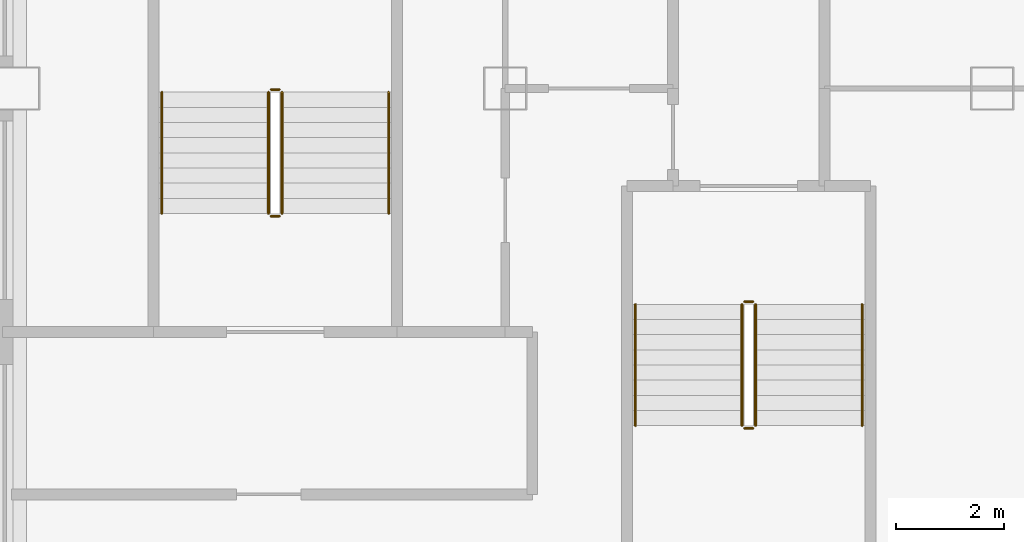
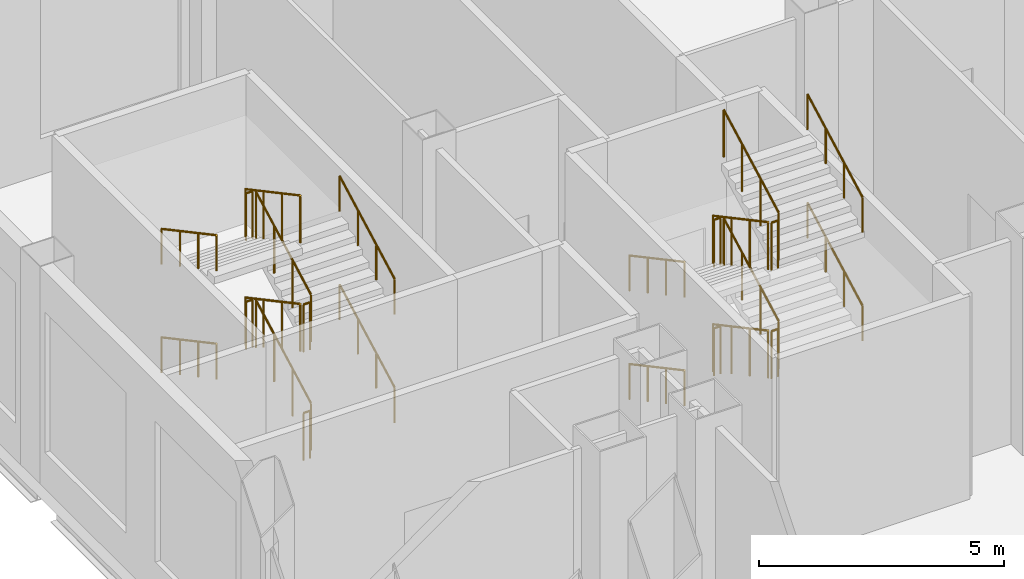
# One storey, part 24 of 26: 24 railings.
"""IFC4 building model written with IfcOpenShell, lengths in metres."""

import ifcopenshell
import ifcopenshell.guid

model = None  # the IFC model being written
_history = None  # IfcOwnerHistory: only IFC2X3 demands one
_inside = {}  # id of a spatial element -> (the spatial element, [elements in it])
_under = {}  # id of a project, library or spatial element -> (it, [spatial elements below it])
_declared = {}  # id of a project -> (the project, [libraries it declares])
_typed = {}  # id of a type object -> (the type object, [elements of that type])
_made_of = {}  # id of a material, layer set ... -> (it, [elements and type objects made of it])


def new_model(schema):
    """Start an empty IFC model of exactly this schema.

    Asked for "IFC4X3", IfcOpenShell would pick the latest addendum, in which some entities
    have other attributes; the version numbers below select the first issue.
    IFC2X3 requires an IfcOwnerHistory on every rooted entity: one is made here for all.
    """
    global model, _history
    if schema == "IFC4X3":
        model = ifcopenshell.file(schema_version=(4, 3, 0, 0))
    else:
        model = ifcopenshell.file(schema=schema)
    _inside.clear()
    _under.clear()
    _declared.clear()
    _typed.clear()
    _made_of.clear()
    _history = None
    if model.schema == "IFC2X3":
        org = make("IfcOrganization", Name="unknown")
        user = make(
            "IfcPersonAndOrganization",
            ThePerson=make("IfcPerson", FamilyName="unknown"),
            TheOrganization=org,
        )
        app = make(
            "IfcApplication",
            ApplicationDeveloper=org,
            Version="unknown",
            ApplicationFullName="unknown",
            ApplicationIdentifier="unknown",
        )
        _history = make(
            "IfcOwnerHistory",
            OwningUser=user,
            OwningApplication=app,
            ChangeAction="ADDED",
            CreationDate=0,
        )
    return model


def make(cls, **values):
    """One entity of the class cls with the attributes given. An attribute that is None is left unset."""
    return model.create_entity(
        cls, **{name: value for name, value in values.items() if value is not None}
    )


def rooted(cls, **values):
    """An entity with a GlobalId (a new one), such as an element, a storey or a relation."""
    return make(cls, GlobalId=ifcopenshell.guid.new(), OwnerHistory=_history, **values)


def si_unit(unit_type, name, prefix=None):
    """IfcSIUnit, for example si_unit("LENGTHUNIT", "METRE", prefix="MILLI")."""
    return make("IfcSIUnit", UnitType=unit_type, Prefix=prefix, Name=name)


def assignment(units):
    """IfcUnitAssignment: the units of a project."""
    return None if units is None else make("IfcUnitAssignment", Units=units)


def point(xyz):
    """IfcCartesianPoint."""
    return None if xyz is None else make("IfcCartesianPoint", Coordinates=xyz)


def direction(xyz):
    """IfcDirection."""
    return None if xyz is None else make("IfcDirection", DirectionRatios=xyz)


def frame(location, z_axis=None, x_axis=None):
    """IfcAxis2Placement3D, a coordinate frame: its origin and axes. An axis left out is left unset."""
    return make(
        "IfcAxis2Placement3D",
        Location=point(location),
        Axis=direction(z_axis),
        RefDirection=direction(x_axis),
    )


def frame_2d(location, x_axis=None):
    """IfcAxis2Placement2D, a coordinate frame in the plane: its origin and x axis."""
    return make(
        "IfcAxis2Placement2D", Location=point(location), RefDirection=direction(x_axis)
    )


def origin():
    """The frame at (0, 0, 0) with its axes left unset."""
    return frame((0.0, 0.0, 0.0))


def origin_2d():
    """The frame at (0, 0) in the plane with its x axis left unset."""
    return frame_2d((0.0, 0.0))


def place(relative_to, where):
    """IfcLocalPlacement: puts the frame where relative to a parent placement (None: the world)."""
    return make(
        "IfcLocalPlacement", PlacementRelTo=relative_to, RelativePlacement=where
    )


def context(
    kind, dimensions, precision=None, world=None, true_north=None, identifier=None
):
    """IfcGeometricRepresentationContext, for example the 3D "Model" context."""
    return make(
        "IfcGeometricRepresentationContext",
        ContextIdentifier=identifier,
        ContextType=kind,
        CoordinateSpaceDimension=dimensions,
        Precision=precision,
        WorldCoordinateSystem=world,
        TrueNorth=true_north,
    )


def subcontext(parent, identifier, kind, view, scale=None):
    """IfcGeometricRepresentationSubContext, for example "Body" below "Model"."""
    return make(
        "IfcGeometricRepresentationSubContext",
        ContextIdentifier=identifier,
        ContextType=kind,
        ParentContext=parent,
        TargetScale=scale,
        TargetView=view,
    )


def project(units=None, contexts=None):
    """IfcProject with its units and contexts."""
    return rooted(
        "IfcProject",
        Name="project",
        RepresentationContexts=contexts,
        UnitsInContext=assignment(units),
    )


def spatial(cls, under=None, at=None, **own):
    """A site, building, storey or space (cls), placed at a placement, below another one or the project."""
    s = rooted(cls, ObjectPlacement=at, **own)
    if under is not None:
        _under.setdefault(under.id(), (under, []))[1].append(s)
    return s


def profile(cls, at=None, kind="AREA", **sizes):
    """A parametric profile (cls). Its sizes go by their IFC names, for example OverallWidth=200.0."""
    return make(cls, ProfileType=kind, Position=at, **sizes)


def circle(**sizes):
    """IfcCircleProfileDef."""
    return profile("IfcCircleProfileDef", **sizes)


def extrude(swept, where, along, depth):
    """IfcExtrudedAreaSolid: the profile swept, set in the frame where, extruded along a direction by depth."""
    return make(
        "IfcExtrudedAreaSolid",
        SweptArea=swept,
        Position=where,
        ExtrudedDirection=direction(along),
        Depth=depth,
    )


def shape(context_of_items, identifier, shape_type, items):
    """IfcShapeRepresentation: the items that make up one representation, for example the "Body"."""
    return make(
        "IfcShapeRepresentation",
        ContextOfItems=context_of_items,
        RepresentationIdentifier=identifier,
        RepresentationType=shape_type,
        Items=items,
    )


def material(Name=None, Category=None):
    """IfcMaterial."""
    return make("IfcMaterial", Name=Name, Category=Category)


def made_of(thing, what):
    """Note that an element or type object is made of a material, layer set ...; save() writes the relation."""
    if what is not None:
        _made_of.setdefault(what.id(), (what, []))[1].append(thing)
    return thing


def type_object(cls, material=None, **own):
    """A type object (cls), such as IfcWallType, which elements share."""
    return made_of(rooted(cls, **own), material)


def element(
    cls,
    number,
    at=None,
    inside=None,
    cuts=None,
    type_object=None,
    material=None,
    context=None,
    identifier="Body",
    shape_type=None,
    held_by="IfcProductDefinitionShape",
    body=None,
    shapes=None,
    **own,
):
    """One element of the class cls, such as IfcWall. Its Tag is "e" and its number.

    at: its placement. inside: the storey or other place that contains it. cuts: it is an
    opening in that element (IfcRelVoidsElement). A single representation is given by context,
    identifier, shape_type and body (its items); several are given by shapes. held_by: the class
    of the entity that holds the representations. save() writes the other relations.
    """
    e = rooted(cls, Tag="e%d" % number, ObjectPlacement=at, **own)
    if body is not None:
        shapes = [shape(context, identifier, shape_type, body)]
    if shapes is not None:
        e.Representation = make(held_by, Representations=shapes)
    if inside is not None:
        _inside.setdefault(inside.id(), (inside, []))[1].append(e)
    if cuts is not None:
        rooted(
            "IfcRelVoidsElement", RelatingBuildingElement=cuts, RelatedOpeningElement=e
        )
    if type_object is not None:
        _typed.setdefault(type_object.id(), (type_object, []))[1].append(e)
    return made_of(e, material)


def aggregate(whole, parts):
    """IfcRelAggregates: a whole, such as a stair, and the parts it consists of."""
    return rooted("IfcRelAggregates", RelatingObject=whole, RelatedObjects=parts)


def save(model, path):
    """Write the relations noted so far, then the file.

    IfcRelAggregates (storeys below a building ...), IfcRelContainedInSpatialStructure (elements
    in a storey), IfcRelDefinesByType, IfcRelAssociatesMaterial and IfcRelDeclares: one each for
    every whole, place, type object, material and project.
    """
    for whole, parts in _under.values():
        aggregate(whole, parts)
    for where, things in _inside.values():
        rooted(
            "IfcRelContainedInSpatialStructure",
            RelatedElements=things,
            RelatingStructure=where,
        )
    for kind, things in _typed.values():
        rooted("IfcRelDefinesByType", RelatedObjects=things, RelatingType=kind)
    for what, things in _made_of.values():
        rooted("IfcRelAssociatesMaterial", RelatedObjects=things, RelatingMaterial=what)
    for by, libraries in _declared.values():
        rooted("IfcRelDeclares", RelatingContext=by, RelatedDefinitions=libraries)
    model.write(path)


model = new_model("IFC4")

# Units and contexts
model_context = context("Model", 3, precision=1e-05, world=origin(), true_north=direction((0.0, 1.0)))
body_context = subcontext(model_context, "Body", "Model", "MODEL_VIEW")
ifc_project = project(units=[si_unit("LENGTHUNIT", "METRE"), si_unit("AREAUNIT", "SQUARE_METRE"), si_unit("VOLUMEUNIT", "CUBIC_METRE"), si_unit("PLANEANGLEUNIT", "RADIAN"), si_unit("MASSUNIT", "GRAM", prefix="KILO")], contexts=[model_context])

# Site, building, storey
site_placement = place(None, origin())
site = spatial("IfcSite", under=ifc_project, at=site_placement, CompositionType="ELEMENT")
building_placement = place(site_placement, origin())
building = spatial("IfcBuilding", under=site, at=building_placement, Name="Caravel Reach Hotel and Residences", CompositionType="ELEMENT")
storey_placement = place(building_placement, frame((0.0, 0.0, 12.0)))
storey = spatial("IfcBuildingStorey", under=building, at=storey_placement, Name="L02", CompositionType="ELEMENT", Elevation=12.0)

# Railings
ifc_material_1 = material(Name="Steel balustrade with glass infill", Category="steel")
railing_type_1 = type_object("IfcRailingType", Name="Guard 1200", PredefinedType="GUARDRAIL", material=ifc_material_1)
railing_1_placement = place(storey_placement, frame((8.875, 41.010009765625, 0.14990234375)))
element("IfcRailing", 1, at=railing_1_placement, inside=storey, type_object=railing_type_1, Name="L02 ST-P1 stair guard 1", PredefinedType="GUARDRAIL", context=body_context, shape_type="SweptSolid", body=[
    extrude(circle(Radius=0.02392578125, at=origin_2d()), frame((0.0, 0.0, 1.17578125), z_axis=(0.0, -0.881447119201, 0.472282728937), x_axis=(1.0, 0.0, 0.0)), (0.0, 0.0, 1.0), 2.541259765625),
    extrude(circle(Radius=0.02099609375, at=origin_2d()), origin(), (0.0, 0.0, 1.0), 1.15185546875),
    extrude(circle(Radius=0.02099609375, at=origin_2d()), frame((0.0, -0.74658203125, 0.400146484375)), (0.0, 0.0, 1.0), 1.15185546875),
    extrude(circle(Radius=0.02099609375, at=origin_2d()), frame((0.0, -1.493408203125, 0.800048828125)), (0.0, 0.0, 1.0), 1.15185546875),
    extrude(circle(Radius=0.02099609375, at=origin_2d()), frame((0.0, -2.239990234375, 1.2001953125)), (0.0, 0.0, 1.0), 1.15185546875),
])
railing_2_placement = place(storey_placement, frame((8.925048828125, 38.719970703125, 1.35009765625)))
element("IfcRailing", 2, at=railing_2_placement, inside=storey, type_object=railing_type_1, Name="L02 ST-P1 stair guard 2", PredefinedType="GUARDRAIL", context=body_context, shape_type="SweptSolid", body=[
    extrude(circle(Radius=0.02392578125, at=origin_2d()), frame((0.0, 0.0, 1.17578125), z_axis=(1.0, 0.0, 0.0), x_axis=(0.0, 1.0, 0.0)), (0.0, 0.0, 1.0), 0.14990234375),
    extrude(circle(Radius=0.02099609375, at=origin_2d()), origin(), (0.0, 0.0, 1.0), 1.15185546875),
    extrude(circle(Radius=0.02099609375, at=origin_2d()), frame((0.14990234375, 0.0, 0.0)), (0.0, 0.0, 1.0), 1.15185546875),
])
railing_3_placement = place(storey_placement, frame((9.125, 38.77001953125, 1.5)))
element("IfcRailing", 3, at=railing_3_placement, inside=storey, type_object=railing_type_1, Name="L02 ST-P1 stair guard 3", PredefinedType="GUARDRAIL", context=body_context, shape_type="SweptSolid", body=[
    extrude(circle(Radius=0.02392578125, at=origin_2d()), frame((0.0, 0.0, 1.17578125), z_axis=(0.0, 0.881487111273, 0.472208081951), x_axis=(-1.0, 0.0, 0.0)), (0.0, 0.0, 1.0), 2.541259765625),
    extrude(circle(Radius=0.02099609375, at=origin_2d()), origin(), (0.0, 0.0, 1.0), 1.15185546875),
    extrude(circle(Radius=0.02099609375, at=origin_2d()), frame((0.0, 0.74658203125, 0.39990234375)), (0.0, 0.0, 1.0), 1.15185546875),
    extrude(circle(Radius=0.02099609375, at=origin_2d()), frame((0.0, 1.493408203125, 0.800048828125)), (0.0, 0.0, 1.0), 1.15185546875),
    extrude(circle(Radius=0.02099609375, at=origin_2d()), frame((0.0, 2.239990234375, 1.199951171875)), (0.0, 0.0, 1.0), 1.15185546875),
])
railing_4_placement = place(storey_placement, frame((8.925048828125, 41.06005859375, 2.699951171875)))
element("IfcRailing", 4, at=railing_4_placement, inside=storey, type_object=railing_type_1, Name="L02 ST-P1 stair guard 4", PredefinedType="GUARDRAIL", context=body_context, shape_type="SweptSolid", body=[
    extrude(circle(Radius=0.02392578125, at=origin_2d()), frame((0.0, 0.0, 1.17578125), z_axis=(1.0, 0.0, 0.0), x_axis=(0.0, 1.0, 0.0)), (0.0, 0.0, 1.0), 0.14990234375),
    extrude(circle(Radius=0.02099609375, at=origin_2d()), origin(), (0.0, 0.0, 1.0), 1.15185546875),
    extrude(circle(Radius=0.02099609375, at=origin_2d()), frame((0.14990234375, 0.0, 0.0)), (0.0, 0.0, 1.0), 1.15185546875),
])
railing_5_placement = place(storey_placement, frame((8.875, 41.010009765625, 2.85009765625)))
element("IfcRailing", 5, at=railing_5_placement, inside=storey, type_object=railing_type_1, Name="L02 ST-P1 stair guard 5", PredefinedType="GUARDRAIL", context=body_context, shape_type="SweptSolid", body=[
    extrude(circle(Radius=0.02392578125, at=origin_2d()), frame((0.0, 0.0, 1.17578125), z_axis=(0.0, -0.881487111273, 0.472208081951), x_axis=(1.0, 0.0, 0.0)), (0.0, 0.0, 1.0), 2.541259765625),
    extrude(circle(Radius=0.02099609375, at=origin_2d()), origin(), (0.0, 0.0, 1.0), 1.15185546875),
    extrude(circle(Radius=0.02099609375, at=origin_2d()), frame((0.0, -0.74658203125, 0.39990234375)), (0.0, 0.0, 1.0), 1.15185546875),
    extrude(circle(Radius=0.02099609375, at=origin_2d()), frame((0.0, -1.493408203125, 0.800048828125)), (0.0, 0.0, 1.0), 1.15185546875),
    extrude(circle(Radius=0.02099609375, at=origin_2d()), frame((0.0, -2.239990234375, 1.199951171875)), (0.0, 0.0, 1.0), 1.15185546875),
])
railing_6_placement = place(storey_placement, frame((8.925048828125, 38.719970703125, 4.050048828125)))
element("IfcRailing", 6, at=railing_6_placement, inside=storey, type_object=railing_type_1, Name="L02 ST-P1 stair guard 6", PredefinedType="GUARDRAIL", context=body_context, shape_type="SweptSolid", body=[
    extrude(circle(Radius=0.02392578125, at=origin_2d()), frame((0.0, 0.0, 1.17578125), z_axis=(1.0, 0.0, 0.0), x_axis=(0.0, 1.0, 0.0)), (0.0, 0.0, 1.0), 0.14990234375),
    extrude(circle(Radius=0.02099609375, at=origin_2d()), origin(), (0.0, 0.0, 1.0), 1.15185546875),
    extrude(circle(Radius=0.02099609375, at=origin_2d()), frame((0.14990234375, 0.0, 0.0)), (0.0, 0.0, 1.0), 1.15185546875),
])
railing_7_placement = place(storey_placement, frame((9.125, 38.77001953125, 4.199951171875)))
element("IfcRailing", 7, at=railing_7_placement, inside=storey, type_object=railing_type_1, Name="L02 ST-P1 stair guard 7", PredefinedType="GUARDRAIL", context=body_context, shape_type="SweptSolid", body=[
    extrude(circle(Radius=0.02392578125, at=origin_2d()), frame((0.0, 0.0, 1.17578125), z_axis=(0.0, 0.881487111273, 0.472208081951), x_axis=(-1.0, 0.0, 0.0)), (0.0, 0.0, 1.0), 2.541259765625),
    extrude(circle(Radius=0.02099609375, at=origin_2d()), origin(), (0.0, 0.0, 1.0), 1.15185546875),
    extrude(circle(Radius=0.02099609375, at=origin_2d()), frame((0.0, 0.74658203125, 0.39990234375)), (0.0, 0.0, 1.0), 1.15185546875),
    extrude(circle(Radius=0.02099609375, at=origin_2d()), frame((0.0, 1.493408203125, 0.800048828125)), (0.0, 0.0, 1.0), 1.15185546875),
    extrude(circle(Radius=0.02099609375, at=origin_2d()), frame((0.0, 2.239990234375, 1.199951171875)), (0.0, 0.0, 1.0), 1.15185546875),
])
railing_8_placement = place(storey_placement, frame((8.925048828125, 41.06005859375, 0.0)))
element("IfcRailing", 8, at=railing_8_placement, inside=storey, type_object=railing_type_1, Name="L02 ST-P1 stair guard 8", PredefinedType="GUARDRAIL", context=body_context, shape_type="SweptSolid", body=[
    extrude(circle(Radius=0.02392578125, at=origin_2d()), frame((0.0, 0.0, 1.17578125), z_axis=(1.0, 0.0, 0.0), x_axis=(0.0, 1.0, 0.0)), (0.0, 0.0, 1.0), 0.14990234375),
    extrude(circle(Radius=0.02099609375, at=origin_2d()), origin(), (0.0, 0.0, 1.0), 1.15185546875),
    extrude(circle(Radius=0.02099609375, at=origin_2d()), frame((0.14990234375, 0.0, 0.0)), (0.0, 0.0, 1.0), 1.15185546875),
])
railing_9_placement = place(storey_placement, frame((0.375, 42.68994140625, 0.14990234375)))
element("IfcRailing", 9, at=railing_9_placement, inside=storey, type_object=railing_type_1, Name="L02 ST-P5 stair guard 1", PredefinedType="GUARDRAIL", context=body_context, shape_type="SweptSolid", body=[
    extrude(circle(Radius=0.02392578125, at=origin_2d()), frame((0.0, 0.0, 1.17578125), z_axis=(0.0, 0.881447119201, 0.472282728937), x_axis=(-1.0, 0.0, 0.0)), (0.0, 0.0, 1.0), 2.541259765625),
    extrude(circle(Radius=0.02099609375, at=origin_2d()), origin(), (0.0, 0.0, 1.0), 1.15185546875),
    extrude(circle(Radius=0.02099609375, at=origin_2d()), frame((0.0, 0.74658203125, 0.400146484375)), (0.0, 0.0, 1.0), 1.15185546875),
    extrude(circle(Radius=0.02099609375, at=origin_2d()), frame((0.0, 1.493408203125, 0.800048828125)), (0.0, 0.0, 1.0), 1.15185546875),
    extrude(circle(Radius=0.02099609375, at=origin_2d()), frame((0.0, 2.239990234375, 1.2001953125)), (0.0, 0.0, 1.0), 1.15185546875),
])
railing_10_placement = place(storey_placement, frame((0.324951171875, 44.97998046875, 1.35009765625)))
element("IfcRailing", 10, at=railing_10_placement, inside=storey, type_object=railing_type_1, Name="L02 ST-P5 stair guard 2", PredefinedType="GUARDRAIL", context=body_context, shape_type="SweptSolid", body=[
    extrude(circle(Radius=0.02392578125, at=origin_2d()), frame((0.0, 0.0, 1.17578125), z_axis=(-1.0, 0.0, 0.0), x_axis=(0.0, -1.0, 0.0)), (0.0, 0.0, 1.0), 0.14990234375),
    extrude(circle(Radius=0.02099609375, at=origin_2d()), origin(), (0.0, 0.0, 1.0), 1.15185546875),
    extrude(circle(Radius=0.02099609375, at=origin_2d()), frame((-0.14990234375, 0.0, 0.0)), (0.0, 0.0, 1.0), 1.15185546875),
])
railing_11_placement = place(storey_placement, frame((0.125, 44.929931640625, 1.5)))
element("IfcRailing", 11, at=railing_11_placement, inside=storey, type_object=railing_type_1, Name="L02 ST-P5 stair guard 3", PredefinedType="GUARDRAIL", context=body_context, shape_type="SweptSolid", body=[
    extrude(circle(Radius=0.02392578125, at=origin_2d()), frame((0.0, 0.0, 1.17578125), z_axis=(0.0, -0.881487111273, 0.472208081951), x_axis=(1.0, 0.0, 0.0)), (0.0, 0.0, 1.0), 2.541259765625),
    extrude(circle(Radius=0.02099609375, at=origin_2d()), origin(), (0.0, 0.0, 1.0), 1.15185546875),
    extrude(circle(Radius=0.02099609375, at=origin_2d()), frame((0.0, -0.74658203125, 0.39990234375)), (0.0, 0.0, 1.0), 1.15185546875),
    extrude(circle(Radius=0.02099609375, at=origin_2d()), frame((0.0, -1.493408203125, 0.800048828125)), (0.0, 0.0, 1.0), 1.15185546875),
    extrude(circle(Radius=0.02099609375, at=origin_2d()), frame((0.0, -2.239990234375, 1.199951171875)), (0.0, 0.0, 1.0), 1.15185546875),
])
railing_12_placement = place(storey_placement, frame((0.324951171875, 42.639892578125, 2.699951171875)))
element("IfcRailing", 12, at=railing_12_placement, inside=storey, type_object=railing_type_1, Name="L02 ST-P5 stair guard 4", PredefinedType="GUARDRAIL", context=body_context, shape_type="SweptSolid", body=[
    extrude(circle(Radius=0.02392578125, at=origin_2d()), frame((0.0, 0.0, 1.17578125), z_axis=(-1.0, 0.0, 0.0), x_axis=(0.0, -1.0, 0.0)), (0.0, 0.0, 1.0), 0.14990234375),
    extrude(circle(Radius=0.02099609375, at=origin_2d()), origin(), (0.0, 0.0, 1.0), 1.15185546875),
    extrude(circle(Radius=0.02099609375, at=origin_2d()), frame((-0.14990234375, 0.0, 0.0)), (0.0, 0.0, 1.0), 1.15185546875),
])
railing_13_placement = place(storey_placement, frame((0.375, 42.68994140625, 2.85009765625)))
element("IfcRailing", 13, at=railing_13_placement, inside=storey, type_object=railing_type_1, Name="L02 ST-P5 stair guard 5", PredefinedType="GUARDRAIL", context=body_context, shape_type="SweptSolid", body=[
    extrude(circle(Radius=0.02392578125, at=origin_2d()), frame((0.0, 0.0, 1.17578125), z_axis=(0.0, 0.881487111273, 0.472208081951), x_axis=(-1.0, 0.0, 0.0)), (0.0, 0.0, 1.0), 2.541259765625),
    extrude(circle(Radius=0.02099609375, at=origin_2d()), origin(), (0.0, 0.0, 1.0), 1.15185546875),
    extrude(circle(Radius=0.02099609375, at=origin_2d()), frame((0.0, 0.74658203125, 0.39990234375)), (0.0, 0.0, 1.0), 1.15185546875),
    extrude(circle(Radius=0.02099609375, at=origin_2d()), frame((0.0, 1.493408203125, 0.800048828125)), (0.0, 0.0, 1.0), 1.15185546875),
    extrude(circle(Radius=0.02099609375, at=origin_2d()), frame((0.0, 2.239990234375, 1.199951171875)), (0.0, 0.0, 1.0), 1.15185546875),
])
railing_14_placement = place(storey_placement, frame((0.324951171875, 44.97998046875, 4.050048828125)))
element("IfcRailing", 14, at=railing_14_placement, inside=storey, type_object=railing_type_1, Name="L02 ST-P5 stair guard 6", PredefinedType="GUARDRAIL", context=body_context, shape_type="SweptSolid", body=[
    extrude(circle(Radius=0.02392578125, at=origin_2d()), frame((0.0, 0.0, 1.17578125), z_axis=(-1.0, 0.0, 0.0), x_axis=(0.0, -1.0, 0.0)), (0.0, 0.0, 1.0), 0.14990234375),
    extrude(circle(Radius=0.02099609375, at=origin_2d()), origin(), (0.0, 0.0, 1.0), 1.15185546875),
    extrude(circle(Radius=0.02099609375, at=origin_2d()), frame((-0.14990234375, 0.0, 0.0)), (0.0, 0.0, 1.0), 1.15185546875),
])
railing_15_placement = place(storey_placement, frame((0.125, 44.929931640625, 4.199951171875)))
element("IfcRailing", 15, at=railing_15_placement, inside=storey, type_object=railing_type_1, Name="L02 ST-P5 stair guard 7", PredefinedType="GUARDRAIL", context=body_context, shape_type="SweptSolid", body=[
    extrude(circle(Radius=0.02392578125, at=origin_2d()), frame((0.0, 0.0, 1.17578125), z_axis=(0.0, -0.881487111273, 0.472208081951), x_axis=(1.0, 0.0, 0.0)), (0.0, 0.0, 1.0), 2.541259765625),
    extrude(circle(Radius=0.02099609375, at=origin_2d()), origin(), (0.0, 0.0, 1.0), 1.15185546875),
    extrude(circle(Radius=0.02099609375, at=origin_2d()), frame((0.0, -0.74658203125, 0.39990234375)), (0.0, 0.0, 1.0), 1.15185546875),
    extrude(circle(Radius=0.02099609375, at=origin_2d()), frame((0.0, -1.493408203125, 0.800048828125)), (0.0, 0.0, 1.0), 1.15185546875),
    extrude(circle(Radius=0.02099609375, at=origin_2d()), frame((0.0, -2.239990234375, 1.199951171875)), (0.0, 0.0, 1.0), 1.15185546875),
])
railing_16_placement = place(storey_placement, frame((0.324951171875, 42.639892578125, 0.0)))
element("IfcRailing", 16, at=railing_16_placement, inside=storey, type_object=railing_type_1, Name="L02 ST-P5 stair guard 8", PredefinedType="GUARDRAIL", context=body_context, shape_type="SweptSolid", body=[
    extrude(circle(Radius=0.02392578125, at=origin_2d()), frame((0.0, 0.0, 1.17578125), z_axis=(-1.0, 0.0, 0.0), x_axis=(0.0, -1.0, 0.0)), (0.0, 0.0, 1.0), 0.14990234375),
    extrude(circle(Radius=0.02099609375, at=origin_2d()), origin(), (0.0, 0.0, 1.0), 1.15185546875),
    extrude(circle(Radius=0.02099609375, at=origin_2d()), frame((-0.14990234375, 0.0, 0.0)), (0.0, 0.0, 1.0), 1.15185546875),
])
ifc_material_2 = material(Name="Stainless steel handrail", Category="steel")
railing_type_2 = type_object("IfcRailingType", Name="Handrail 900", PredefinedType="HANDRAIL", material=ifc_material_2)
railing_17_placement = place(storey_placement, frame((6.905029296875, 41.010009765625, 0.14990234375)))
element("IfcRailing", 17, at=railing_17_placement, inside=storey, type_object=railing_type_2, Name="L02 ST-P1 stair handrail 1", PredefinedType="HANDRAIL", context=body_context, shape_type="SweptSolid", body=[
    extrude(circle(Radius=0.02392578125, at=origin_2d()), frame((0.0, 0.0, 0.8759765625), z_axis=(0.0, -0.881447119201, 0.472282728937), x_axis=(1.0, 0.0, 0.0)), (0.0, 0.0, 1.0), 2.541259765625),
    extrude(circle(Radius=0.02099609375, at=origin_2d()), origin(), (0.0, 0.0, 1.0), 0.851806640625),
    extrude(circle(Radius=0.02099609375, at=origin_2d()), frame((0.0, -0.74658203125, 0.400146484375)), (0.0, 0.0, 1.0), 0.851806640625),
    extrude(circle(Radius=0.02099609375, at=origin_2d()), frame((0.0, -1.493408203125, 0.800048828125)), (0.0, 0.0, 1.0), 0.851806640625),
    extrude(circle(Radius=0.02099609375, at=origin_2d()), frame((0.0, -2.239990234375, 1.2001953125)), (0.0, 0.0, 1.0), 0.851806640625),
])
railing_18_placement = place(storey_placement, frame((11.094970703125, 38.77001953125, 1.5)))
element("IfcRailing", 18, at=railing_18_placement, inside=storey, type_object=railing_type_2, Name="L02 ST-P1 stair handrail 2", PredefinedType="HANDRAIL", context=body_context, shape_type="SweptSolid", body=[
    extrude(circle(Radius=0.02392578125, at=origin_2d()), frame((0.0, 0.0, 0.8759765625), z_axis=(0.0, 0.881487111273, 0.472208081951), x_axis=(-1.0, 0.0, 0.0)), (0.0, 0.0, 1.0), 2.541259765625),
    extrude(circle(Radius=0.02099609375, at=origin_2d()), origin(), (0.0, 0.0, 1.0), 0.851806640625),
    extrude(circle(Radius=0.02099609375, at=origin_2d()), frame((0.0, 0.74658203125, 0.39990234375)), (0.0, 0.0, 1.0), 0.851806640625),
    extrude(circle(Radius=0.02099609375, at=origin_2d()), frame((0.0, 1.493408203125, 0.800048828125)), (0.0, 0.0, 1.0), 0.851806640625),
    extrude(circle(Radius=0.02099609375, at=origin_2d()), frame((0.0, 2.239990234375, 1.199951171875)), (0.0, 0.0, 1.0), 0.851806640625),
])
railing_19_placement = place(storey_placement, frame((6.905029296875, 41.010009765625, 2.85009765625)))
element("IfcRailing", 19, at=railing_19_placement, inside=storey, type_object=railing_type_2, Name="L02 ST-P1 stair handrail 3", PredefinedType="HANDRAIL", context=body_context, shape_type="SweptSolid", body=[
    extrude(circle(Radius=0.02392578125, at=origin_2d()), frame((0.0, 0.0, 0.8759765625), z_axis=(0.0, -0.881487111273, 0.472208081951), x_axis=(1.0, 0.0, 0.0)), (0.0, 0.0, 1.0), 2.541259765625),
    extrude(circle(Radius=0.02099609375, at=origin_2d()), origin(), (0.0, 0.0, 1.0), 0.851806640625),
    extrude(circle(Radius=0.02099609375, at=origin_2d()), frame((0.0, -0.74658203125, 0.39990234375)), (0.0, 0.0, 1.0), 0.851806640625),
    extrude(circle(Radius=0.02099609375, at=origin_2d()), frame((0.0, -1.493408203125, 0.800048828125)), (0.0, 0.0, 1.0), 0.851806640625),
    extrude(circle(Radius=0.02099609375, at=origin_2d()), frame((0.0, -2.239990234375, 1.199951171875)), (0.0, 0.0, 1.0), 0.851806640625),
])
railing_20_placement = place(storey_placement, frame((11.094970703125, 38.77001953125, 4.199951171875)))
element("IfcRailing", 20, at=railing_20_placement, inside=storey, type_object=railing_type_2, Name="L02 ST-P1 stair handrail 4", PredefinedType="HANDRAIL", context=body_context, shape_type="SweptSolid", body=[
    extrude(circle(Radius=0.02392578125, at=origin_2d()), frame((0.0, 0.0, 0.8759765625), z_axis=(0.0, 0.881487111273, 0.472208081951), x_axis=(-1.0, 0.0, 0.0)), (0.0, 0.0, 1.0), 2.541259765625),
    extrude(circle(Radius=0.02099609375, at=origin_2d()), origin(), (0.0, 0.0, 1.0), 0.851806640625),
    extrude(circle(Radius=0.02099609375, at=origin_2d()), frame((0.0, 0.74658203125, 0.39990234375)), (0.0, 0.0, 1.0), 0.851806640625),
    extrude(circle(Radius=0.02099609375, at=origin_2d()), frame((0.0, 1.493408203125, 0.800048828125)), (0.0, 0.0, 1.0), 0.851806640625),
    extrude(circle(Radius=0.02099609375, at=origin_2d()), frame((0.0, 2.239990234375, 1.199951171875)), (0.0, 0.0, 1.0), 0.851806640625),
])
railing_21_placement = place(storey_placement, frame((2.344970703125, 42.68994140625, 0.14990234375)))
element("IfcRailing", 21, at=railing_21_placement, inside=storey, type_object=railing_type_2, Name="L02 ST-P5 stair handrail 1", PredefinedType="HANDRAIL", context=body_context, shape_type="SweptSolid", body=[
    extrude(circle(Radius=0.02392578125, at=origin_2d()), frame((0.0, 0.0, 0.8759765625), z_axis=(0.0, 0.881447119201, 0.472282728937), x_axis=(-1.0, 0.0, 0.0)), (0.0, 0.0, 1.0), 2.541259765625),
    extrude(circle(Radius=0.02099609375, at=origin_2d()), origin(), (0.0, 0.0, 1.0), 0.851806640625),
    extrude(circle(Radius=0.02099609375, at=origin_2d()), frame((0.0, 0.74658203125, 0.400146484375)), (0.0, 0.0, 1.0), 0.851806640625),
    extrude(circle(Radius=0.02099609375, at=origin_2d()), frame((0.0, 1.493408203125, 0.800048828125)), (0.0, 0.0, 1.0), 0.851806640625),
    extrude(circle(Radius=0.02099609375, at=origin_2d()), frame((0.0, 2.239990234375, 1.2001953125)), (0.0, 0.0, 1.0), 0.851806640625),
])
railing_22_placement = place(storey_placement, frame((-1.844970703125, 44.929931640625, 1.5)))
element("IfcRailing", 22, at=railing_22_placement, inside=storey, type_object=railing_type_2, Name="L02 ST-P5 stair handrail 2", PredefinedType="HANDRAIL", context=body_context, shape_type="SweptSolid", body=[
    extrude(circle(Radius=0.02392578125, at=origin_2d()), frame((0.0, 0.0, 0.8759765625), z_axis=(0.0, -0.881487111273, 0.472208081951), x_axis=(1.0, 0.0, 0.0)), (0.0, 0.0, 1.0), 2.541259765625),
    extrude(circle(Radius=0.02099609375, at=origin_2d()), origin(), (0.0, 0.0, 1.0), 0.851806640625),
    extrude(circle(Radius=0.02099609375, at=origin_2d()), frame((0.0, -0.74658203125, 0.39990234375)), (0.0, 0.0, 1.0), 0.851806640625),
    extrude(circle(Radius=0.02099609375, at=origin_2d()), frame((0.0, -1.493408203125, 0.800048828125)), (0.0, 0.0, 1.0), 0.851806640625),
    extrude(circle(Radius=0.02099609375, at=origin_2d()), frame((0.0, -2.239990234375, 1.199951171875)), (0.0, 0.0, 1.0), 0.851806640625),
])
railing_23_placement = place(storey_placement, frame((2.344970703125, 42.68994140625, 2.85009765625)))
element("IfcRailing", 23, at=railing_23_placement, inside=storey, type_object=railing_type_2, Name="L02 ST-P5 stair handrail 3", PredefinedType="HANDRAIL", context=body_context, shape_type="SweptSolid", body=[
    extrude(circle(Radius=0.02392578125, at=origin_2d()), frame((0.0, 0.0, 0.8759765625), z_axis=(0.0, 0.881487111273, 0.472208081951), x_axis=(-1.0, 0.0, 0.0)), (0.0, 0.0, 1.0), 2.541259765625),
    extrude(circle(Radius=0.02099609375, at=origin_2d()), origin(), (0.0, 0.0, 1.0), 0.851806640625),
    extrude(circle(Radius=0.02099609375, at=origin_2d()), frame((0.0, 0.74658203125, 0.39990234375)), (0.0, 0.0, 1.0), 0.851806640625),
    extrude(circle(Radius=0.02099609375, at=origin_2d()), frame((0.0, 1.493408203125, 0.800048828125)), (0.0, 0.0, 1.0), 0.851806640625),
    extrude(circle(Radius=0.02099609375, at=origin_2d()), frame((0.0, 2.239990234375, 1.199951171875)), (0.0, 0.0, 1.0), 0.851806640625),
])
railing_24_placement = place(storey_placement, frame((-1.844970703125, 44.929931640625, 4.199951171875)))
element("IfcRailing", 24, at=railing_24_placement, inside=storey, type_object=railing_type_2, Name="L02 ST-P5 stair handrail 4", PredefinedType="HANDRAIL", context=body_context, shape_type="SweptSolid", body=[
    extrude(circle(Radius=0.02392578125, at=origin_2d()), frame((0.0, 0.0, 0.8759765625), z_axis=(0.0, -0.881487111273, 0.472208081951), x_axis=(1.0, 0.0, 0.0)), (0.0, 0.0, 1.0), 2.541259765625),
    extrude(circle(Radius=0.02099609375, at=origin_2d()), origin(), (0.0, 0.0, 1.0), 0.851806640625),
    extrude(circle(Radius=0.02099609375, at=origin_2d()), frame((0.0, -0.74658203125, 0.39990234375)), (0.0, 0.0, 1.0), 0.851806640625),
    extrude(circle(Radius=0.02099609375, at=origin_2d()), frame((0.0, -1.493408203125, 0.800048828125)), (0.0, 0.0, 1.0), 0.851806640625),
    extrude(circle(Radius=0.02099609375, at=origin_2d()), frame((0.0, -2.239990234375, 1.199951171875)), (0.0, 0.0, 1.0), 0.851806640625),
])

save(model, "model.ifc")
